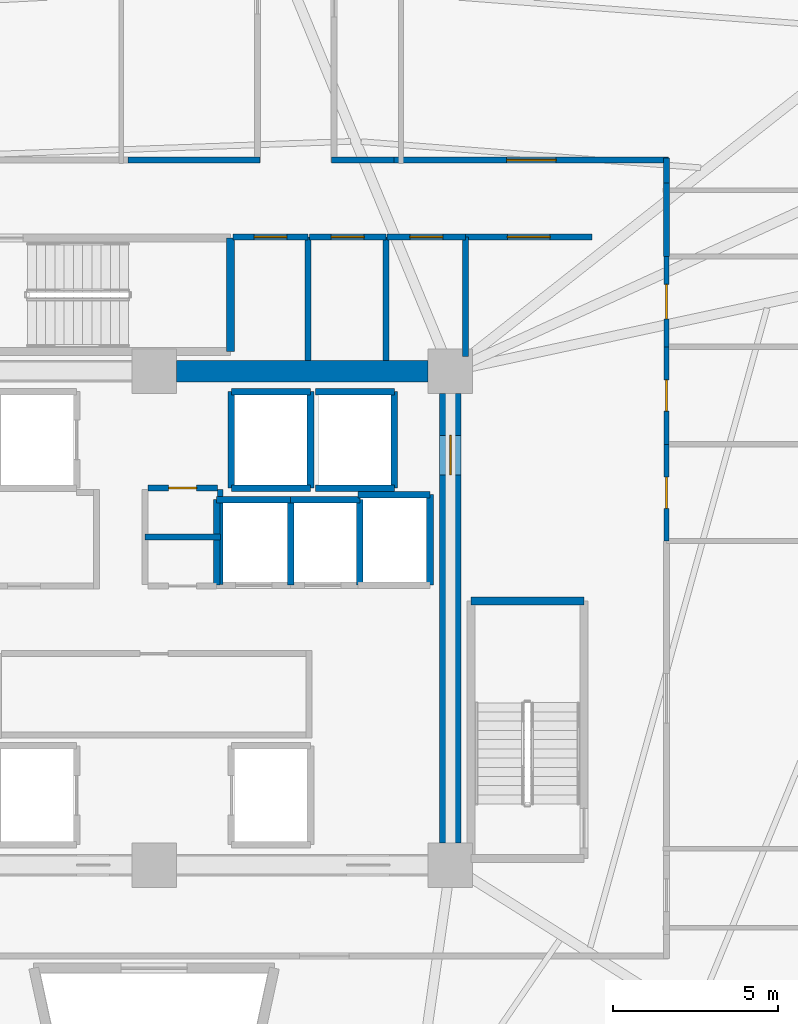
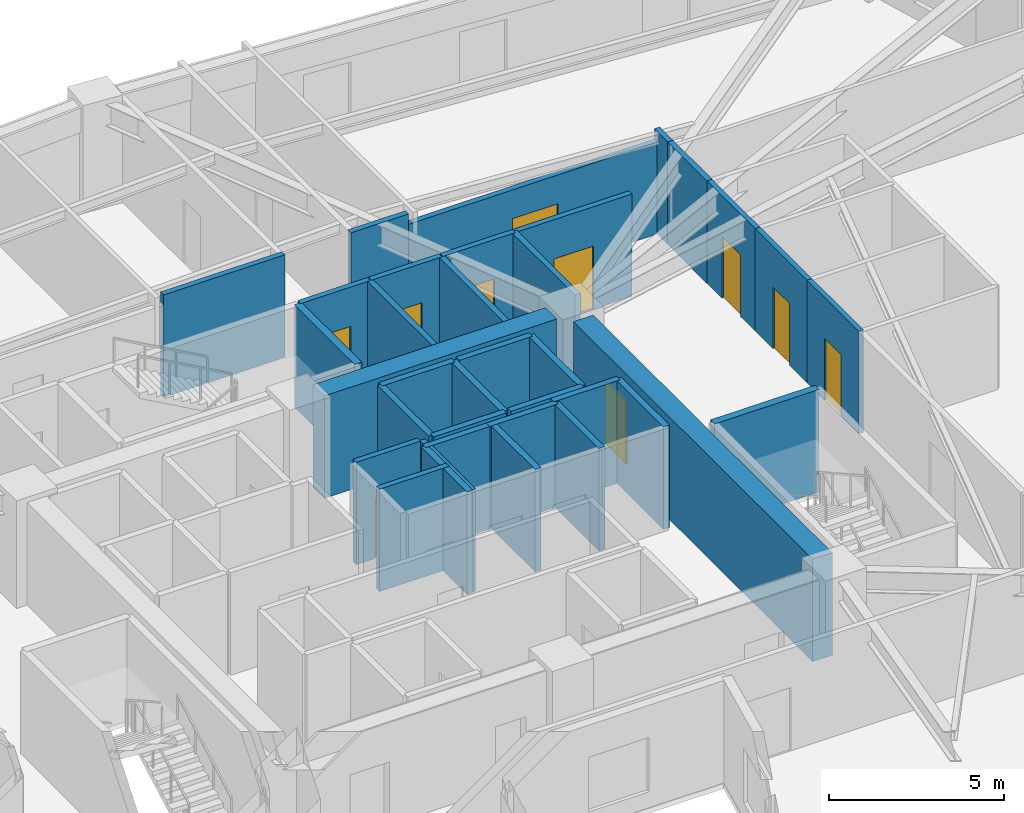
# One storey, part 6 of 8: 36 walls, 10 doors, 10 openings.
"""IFC4 building model written with IfcOpenShell, lengths in metres."""

from ifc_helpers import new_model, si_unit, direction, frame, frame_2d, origin, place, context, subcontext, project, spatial, rectangle, extrude, source, transform, mapped, material, layer, layer_set, type_object, element, fill, save


model = new_model("IFC4")

# Units and contexts
model_context = context("Model", 3, precision=1e-05, world=origin(), true_north=direction((0.0, 1.0)))
body_context = subcontext(model_context, "Body", "Model", "MODEL_VIEW")
ifc_project = project(units=[si_unit("LENGTHUNIT", "METRE"), si_unit("AREAUNIT", "SQUARE_METRE"), si_unit("VOLUMEUNIT", "CUBIC_METRE"), si_unit("PLANEANGLEUNIT", "RADIAN"), si_unit("MASSUNIT", "GRAM", prefix="KILO")], contexts=[model_context])

# Site, building, storey
site_placement = place(None, origin())
site = spatial("IfcSite", under=ifc_project, at=site_placement, CompositionType="ELEMENT")
building_placement = place(site_placement, origin())
building = spatial("IfcBuilding", under=site, at=building_placement, Name="Liaohun Quay Tower", CompositionType="ELEMENT")
storey_placement = place(building_placement, frame((0.0, 0.0, 251.25)))
storey = spatial("IfcBuildingStorey", under=building, at=storey_placement, Name="L65", CompositionType="ELEMENT", Elevation=251.25)

# Wall
ifc_material_1 = material(Name="Concrete C55", Category="concrete")
ifc_layer_1 = layer(ifc_material_1, 0.64990234375, Name="Concrete C55", Category="concrete")
ifc_layer_set_1 = layer_set([ifc_layer_1], Name="Concrete C55")
wall_type_1 = type_object("IfcWallType", Name="WAL-COR-Z3", PredefinedType="SHEAR", material=ifc_layer_set_1)
wall_1_placement = place(storey_placement, frame((60.675048828125, 61.5, 0.0), z_axis=(0.0, 0.0, 1.0), x_axis=(1.0, 0.0, 0.0)))
element("IfcWall", 1, at=wall_1_placement, inside=storey, type_object=wall_type_1, Name="L65 Central Core Shear Wall N-E", PredefinedType="SHEAR", context=body_context, shape_type="SweptSolid", body=[
    extrude(rectangle(XDim=7.64990234375, YDim=0.64990234375, at=frame_2d((3.824951171875, 0.0))), origin(), (0.0, 0.0, 1.0), 3.570068359375),
])

# Wall, opening, door
wall_2_placement = place(storey_placement, frame((69.0, 60.824951171875, 0.0), z_axis=(0.0, 0.0, 1.0), x_axis=(0.0, -1.0, 0.0)))
wall_2 = element("IfcWall", 2, at=wall_2_placement, inside=storey, type_object=wall_type_1, Name="L65 Central Core Shear Wall E", PredefinedType="SHEAR", context=body_context, shape_type="SweptSolid", body=[
    extrude(rectangle(XDim=13.64990234375, YDim=0.64990234375, at=frame_2d((6.824951171875, 0.0))), origin(), (0.0, 0.0, 1.0), 3.570068359375),
])
shared_shape_1 = source(origin(), body_context, "Body", "SweptSolid", [
    extrude(rectangle(XDim=1.199951171875, YDim=2.199951171875, at=frame_2d((0.60009765625, 1.10009765625))), frame((0.0, 0.3349609375, 0.0), z_axis=(0.0, -1.0, 0.0), x_axis=(1.0, 0.0, 0.0)), (0.0, 0.0, 1.0), 0.669921875),
])
opening_1_placement = place(wall_2_placement, frame((1.27490234375, 0.0, 0.0)))
opening_1 = element("IfcOpeningElement", 3, at=opening_1_placement, cuts=wall_2, Name="Opening SD1", PredefinedType="OPENING", context=body_context, shape_type="MappedRepresentation", body=[
    mapped(shared_shape_1, transform((0.0, 0.0, 0.0), x_axis=(1.0, 0.0, 0.0), y_axis=(0.0, 1.0, 0.0), z_axis=(0.0, 0.0, 1.0), scale=1.0)),
])
ifc_material_2 = material(Name="Galvanised steel fire door", Category="steel")
door_type_1 = type_object("IfcDoorType", Name="DOR-STR-1200", OperationType="NOTDEFINED", PredefinedType="DOOR", material=ifc_material_2)
shared_shape_2 = source(origin(), body_context, "Body", "SweptSolid", [
    extrude(rectangle(XDim=1.199951171875, YDim=2.199951171875, at=frame_2d((0.60009765625, 1.10009765625))), frame((0.0, 0.02490234375, 0.0), z_axis=(0.0, -1.0, 0.0), x_axis=(1.0, 0.0, 0.0)), (0.0, 0.0, 1.0), 0.050048828125),
])
door_1_placement = place(opening_1_placement, origin())
door_1 = element("IfcDoor", 4, at=door_1_placement, inside=storey, type_object=door_type_1, Name="L65 North-East Core Lobby Smokeproof Door", OperationType="SINGLE_SWING_LEFT", OverallHeight=2.199951171875, OverallWidth=1.199951171875, PredefinedType="DOOR", context=body_context, shape_type="MappedRepresentation", body=[
    mapped(shared_shape_2, transform((0.0, 0.0, 0.0), x_axis=(1.0, 0.0, 0.0), y_axis=(0.0, 1.0, 0.0), z_axis=(0.0, 0.0, 1.0), scale=1.0)),
])
fill(opening_1, door_1)

ifc_material_3 = material(Name="Autoclaved aerated concrete blockwork", Category="masonry")
ifc_layer_2 = layer(ifc_material_3, 0.179931640625, Name="Autoclaved aerated concrete blockwork", Category="masonry")
ifc_layer_set_2 = layer_set([ifc_layer_2], Name="Autoclaved aerated concrete blockwork")
wall_type_2 = type_object("IfcWallType", Name="WAL-PRT-COR", PredefinedType="PARTITIONING", material=ifc_layer_set_2)
wall_3_placement = place(storey_placement, frame((59.81005859375, 57.949951171875, 0.0), z_axis=(0.0, 0.0, 1.0), x_axis=(1.0, 0.0, 0.0)))
wall_3 = element("IfcWall", 5, at=wall_3_placement, inside=storey, type_object=wall_type_2, Name="L65 Interior Partition Wall 004", PredefinedType="PARTITIONING", context=body_context, shape_type="SweptSolid", body=[
    extrude(rectangle(XDim=2.10986328125, YDim=0.179931640625, at=frame_2d((1.054931640625, 0.0))), origin(), (0.0, 0.0, 1.0), 3.570068359375),
])
shared_shape_3 = source(origin(), body_context, "Body", "SweptSolid", [
    extrude(rectangle(XDim=0.85009765625, YDim=2.10009765625, at=frame_2d((0.425048828125, 1.050048828125))), frame((0.0, 0.099853515625, 0.0), z_axis=(0.0, -1.0, 0.0), x_axis=(1.0, 0.0, 0.0)), (0.0, 0.0, 1.0), 0.199951171875),
])
opening_2_placement = place(wall_3_placement, frame((0.635009765625, 0.0, 0.0)))
opening_2 = element("IfcOpeningElement", 6, at=opening_2_placement, cuts=wall_3, Name="Opening AD1", PredefinedType="OPENING", context=body_context, shape_type="MappedRepresentation", body=[
    mapped(shared_shape_3, transform((0.0, 0.0, 0.0), x_axis=(1.0, 0.0, 0.0), y_axis=(0.0, 1.0, 0.0), z_axis=(0.0, 0.0, 1.0), scale=1.0)),
])
ifc_material_4 = material(Name="Steel riser inspection fire door", Category="steel")
door_type_2 = type_object("IfcDoorType", Name="DOR-SHF-850", OperationType="NOTDEFINED", PredefinedType="DOOR", material=ifc_material_4)
shared_shape_4 = source(origin(), body_context, "Body", "SweptSolid", [
    extrude(rectangle(XDim=0.85009765625, YDim=2.10009765625, at=frame_2d((0.425048828125, 1.050048828125))), frame((0.0, 0.02490234375, 0.0), z_axis=(0.0, -1.0, 0.0), x_axis=(1.0, 0.0, 0.0)), (0.0, 0.0, 1.0), 0.050048828125),
])
door_2_placement = place(opening_2_placement, origin())
door_2 = element("IfcDoor", 7, at=door_2_placement, inside=storey, type_object=door_type_2, Name="L65 Telecom Comms Closet Door", OperationType="SINGLE_SWING_RIGHT", OverallHeight=2.10009765625, OverallWidth=0.85009765625, PredefinedType="DOOR", context=body_context, shape_type="MappedRepresentation", body=[
    mapped(shared_shape_4, transform((0.0, 0.0, 0.0), x_axis=(1.0, 0.0, 0.0), y_axis=(0.0, 1.0, 0.0), z_axis=(0.0, 0.0, 1.0), scale=1.0)),
])
fill(opening_2, door_2)

wall_4_placement = place(storey_placement, frame((62.389892578125, 65.580078125, 0.0), z_axis=(0.0, 0.0, 1.0), x_axis=(1.0, 0.0, 0.0)))
wall_4 = element("IfcWall", 8, at=wall_4_placement, inside=storey, type_object=wall_type_2, Name="L65 Interior Partition Wall 011", PredefinedType="PARTITIONING", context=body_context, shape_type="SweptSolid", body=[
    extrude(rectangle(XDim=2.2900390625, YDim=0.179931640625, at=frame_2d((1.14501953125, 0.0))), origin(), (0.0, 0.0, 1.0), 3.570068359375),
])
shared_shape_5 = source(origin(), body_context, "Body", "SweptSolid", [
    extrude(rectangle(XDim=1.0, YDim=2.199951171875, at=frame_2d((0.5, 1.10009765625))), frame((0.0, 0.099853515625, 0.0), z_axis=(0.0, -1.0, 0.0), x_axis=(1.0, 0.0, 0.0)), (0.0, 0.0, 1.0), 0.199951171875),
])
opening_3_placement = place(wall_4_placement, frame((0.64501953125, 0.0, 0.0)))
opening_3 = element("IfcOpeningElement", 9, at=opening_3_placement, cuts=wall_4, Name="Opening OD1", PredefinedType="OPENING", context=body_context, shape_type="MappedRepresentation", body=[
    mapped(shared_shape_5, transform((0.0, 0.0, 0.0), x_axis=(1.0, 0.0, 0.0), y_axis=(0.0, 1.0, 0.0), z_axis=(0.0, 0.0, 1.0), scale=1.0)),
])
ifc_material_5 = material(Name="Solid-core oak veneer timber leaf in steel frame", Category="steel")
door_type_3 = type_object("IfcDoorType", Name="DOR-OFF-1000", OperationType="NOTDEFINED", PredefinedType="DOOR", material=ifc_material_5)
shared_shape_6 = source(origin(), body_context, "Body", "SweptSolid", [
    extrude(rectangle(XDim=1.0, YDim=2.199951171875, at=frame_2d((0.5, 1.10009765625))), frame((0.0, 0.02490234375, 0.0), z_axis=(0.0, -1.0, 0.0), x_axis=(1.0, 0.0, 0.0)), (0.0, 0.0, 1.0), 0.050048828125),
])
door_3_placement = place(opening_3_placement, origin())
door_3 = element("IfcDoor", 10, at=door_3_placement, inside=storey, type_object=door_type_3, Name="L65 North-East Mail Store Door", OperationType="SINGLE_SWING_LEFT", OverallHeight=2.199951171875, OverallWidth=1.0, PredefinedType="DOOR", context=body_context, shape_type="MappedRepresentation", body=[
    mapped(shared_shape_6, transform((0.0, 0.0, 0.0), x_axis=(1.0, 0.0, 0.0), y_axis=(0.0, 1.0, 0.0), z_axis=(0.0, 0.0, 1.0), scale=1.0)),
])
fill(opening_3, door_3)

wall_5_placement = place(storey_placement, frame((64.719970703125, 65.580078125, 0.0), z_axis=(0.0, 0.0, 1.0), x_axis=(1.0, 0.0, 0.0)))
wall_5 = element("IfcWall", 11, at=wall_5_placement, inside=storey, type_object=wall_type_2, Name="L65 Interior Partition Wall 012", PredefinedType="PARTITIONING", context=body_context, shape_type="SweptSolid", body=[
    extrude(rectangle(XDim=2.320068359375, YDim=0.179931640625, at=frame_2d((1.16015625, 0.0))), origin(), (0.0, 0.0, 1.0), 3.570068359375),
])
opening_4_placement = place(wall_5_placement, frame((0.659912109375, 0.0, 0.0)))
opening_4 = element("IfcOpeningElement", 12, at=opening_4_placement, cuts=wall_5, Name="Opening OD1", PredefinedType="OPENING", context=body_context, shape_type="MappedRepresentation", body=[
    mapped(shared_shape_5, transform((0.0, 0.0, 0.0), x_axis=(1.0, 0.0, 0.0), y_axis=(0.0, 1.0, 0.0), z_axis=(0.0, 0.0, 1.0), scale=1.0)),
])
door_4_placement = place(opening_4_placement, origin())
door_4 = element("IfcDoor", 13, at=door_4_placement, inside=storey, type_object=door_type_3, Name="L65 North-East Comms Room Door", OperationType="SINGLE_SWING_RIGHT", OverallHeight=2.199951171875, OverallWidth=1.0, PredefinedType="DOOR", context=body_context, shape_type="MappedRepresentation", body=[
    mapped(shared_shape_6, transform((0.0, 0.0, 0.0), x_axis=(1.0, 0.0, 0.0), y_axis=(0.0, 1.0, 0.0), z_axis=(0.0, 0.0, 1.0), scale=1.0)),
])
fill(opening_4, door_4)

wall_6_placement = place(storey_placement, frame((67.080078125, 65.580078125, 0.0), z_axis=(0.0, 0.0, 1.0), x_axis=(1.0, 0.0, 0.0)))
wall_6 = element("IfcWall", 14, at=wall_6_placement, inside=storey, type_object=wall_type_2, Name="L65 Interior Partition Wall 013", PredefinedType="PARTITIONING", context=body_context, shape_type="SweptSolid", body=[
    extrude(rectangle(XDim=2.3798828125, YDim=0.179931640625, at=frame_2d((1.18994140625, 0.0))), origin(), (0.0, 0.0, 1.0), 3.570068359375),
])
opening_5_placement = place(wall_6_placement, frame((0.68994140625, 0.0, 0.0)))
opening_5 = element("IfcOpeningElement", 15, at=opening_5_placement, cuts=wall_6, Name="Opening OD1", PredefinedType="OPENING", context=body_context, shape_type="MappedRepresentation", body=[
    mapped(shared_shape_5, transform((0.0, 0.0, 0.0), x_axis=(1.0, 0.0, 0.0), y_axis=(0.0, 1.0, 0.0), z_axis=(0.0, 0.0, 1.0), scale=1.0)),
])
door_5_placement = place(opening_5_placement, origin())
door_5 = element("IfcDoor", 16, at=door_5_placement, inside=storey, type_object=door_type_3, Name="L65 North-East Cleaner Store Door", OperationType="SINGLE_SWING_LEFT", OverallHeight=2.199951171875, OverallWidth=1.0, PredefinedType="DOOR", context=body_context, shape_type="MappedRepresentation", body=[
    mapped(shared_shape_6, transform((0.0, 0.0, 0.0), x_axis=(1.0, 0.0, 0.0), y_axis=(0.0, 1.0, 0.0), z_axis=(0.0, 0.0, 1.0), scale=1.0)),
])
fill(opening_5, door_5)

wall_7_placement = place(storey_placement, frame((69.4599609375, 65.580078125, 0.0), z_axis=(0.0, 0.0, 1.0), x_axis=(1.0, 0.0, 0.0)))
wall_7 = element("IfcWall", 17, at=wall_7_placement, inside=storey, type_object=wall_type_2, Name="L65 Interior Partition Wall 015", PredefinedType="PARTITIONING", context=body_context, shape_type="SweptSolid", body=[
    extrude(rectangle(XDim=3.840087890625, YDim=0.179931640625, at=frame_2d((1.919921875, 0.0))), origin(), (0.0, 0.0, 1.0), 3.570068359375),
])
shared_shape_7 = source(origin(), body_context, "Body", "SweptSolid", [
    extrude(rectangle(XDim=1.300048828125, YDim=2.199951171875, at=frame_2d((0.64990234375, 1.10009765625))), frame((0.0, 0.099853515625, 0.0), z_axis=(0.0, -1.0, 0.0), x_axis=(1.0, 0.0, 0.0)), (0.0, 0.0, 1.0), 0.199951171875),
])
opening_6_placement = place(wall_7_placement, frame((1.27001953125, 0.0, 0.0)))
opening_6 = element("IfcOpeningElement", 18, at=opening_6_placement, cuts=wall_7, Name="Opening FD1", PredefinedType="OPENING", context=body_context, shape_type="MappedRepresentation", body=[
    mapped(shared_shape_7, transform((0.0, 0.0, 0.0), x_axis=(1.0, 0.0, 0.0), y_axis=(0.0, 1.0, 0.0), z_axis=(0.0, 0.0, 1.0), scale=1.0)),
])
ifc_material_6 = material(Name="Galvanised steel smokeproof fire door", Category="steel")
door_type_4 = type_object("IfcDoorType", Name="DOR-FFL-1300", OperationType="NOTDEFINED", PredefinedType="DOOR", material=ifc_material_6)
shared_shape_8 = source(origin(), body_context, "Body", "SweptSolid", [
    extrude(rectangle(XDim=1.300048828125, YDim=2.199951171875, at=frame_2d((0.64990234375, 1.10009765625))), frame((0.0, 0.02490234375, 0.0), z_axis=(0.0, -1.0, 0.0), x_axis=(1.0, 0.0, 0.0)), (0.0, 0.0, 1.0), 0.050048828125),
])
door_6_placement = place(opening_6_placement, origin())
door_6 = element("IfcDoor", 19, at=door_6_placement, inside=storey, type_object=door_type_4, Name="L65 East Core Vestibule Door", OperationType="SINGLE_SWING_LEFT", OverallHeight=2.199951171875, OverallWidth=1.300048828125, PredefinedType="DOOR", context=body_context, shape_type="MappedRepresentation", body=[
    mapped(shared_shape_8, transform((0.0, 0.0, 0.0), x_axis=(1.0, 0.0, 0.0), y_axis=(0.0, 1.0, 0.0), z_axis=(0.0, 0.0, 1.0), scale=1.0)),
])
fill(opening_6, door_6)

wall_8_placement = place(storey_placement, frame((67.284912109375, 67.909912109375, 0.0), z_axis=(0.0, 0.0, 1.0), x_axis=(1.0, 0.0, 0.0)))
wall_8 = element("IfcWall", 20, at=wall_8_placement, inside=storey, type_object=wall_type_2, Name="L65 Interior Partition Wall 017", PredefinedType="PARTITIONING", context=body_context, shape_type="SweptSolid", body=[
    extrude(rectangle(XDim=8.344970703125, YDim=0.179931640625, at=frame_2d((4.17236328125, 0.0))), origin(), (0.0, 0.0, 1.0), 3.205078125),
])
shared_shape_9 = source(origin(), body_context, "Body", "SweptSolid", [
    extrude(rectangle(XDim=1.5, YDim=2.199951171875, at=frame_2d((0.75, 1.10009765625))), frame((0.0, 0.099853515625, 0.0), z_axis=(0.0, -1.0, 0.0), x_axis=(1.0, 0.0, 0.0)), (0.0, 0.0, 1.0), 0.199951171875),
])
opening_7_placement = place(wall_8_placement, frame((3.422119140625, 0.0, 0.0)))
opening_7 = element("IfcOpeningElement", 21, at=opening_7_placement, cuts=wall_8, Name="Opening OD2", PredefinedType="OPENING", context=body_context, shape_type="MappedRepresentation", body=[
    mapped(shared_shape_9, transform((0.0, 0.0, 0.0), x_axis=(1.0, 0.0, 0.0), y_axis=(0.0, 1.0, 0.0), z_axis=(0.0, 0.0, 1.0), scale=1.0)),
])
ifc_material_7 = material(Name="Acoustic oak veneer double door")
door_type_5 = type_object("IfcDoorType", Name="DOR-OFF-1500", OperationType="DOUBLE_DOOR_SINGLE_SWING", PredefinedType="DOOR", material=ifc_material_7)
shared_shape_10 = source(origin(), body_context, "Body", "SweptSolid", [
    extrude(rectangle(XDim=1.5, YDim=2.199951171875, at=frame_2d((0.75, 1.10009765625))), frame((0.0, 0.02490234375, 0.0), z_axis=(0.0, -1.0, 0.0), x_axis=(1.0, 0.0, 0.0)), (0.0, 0.0, 1.0), 0.050048828125),
])
door_7_placement = place(opening_7_placement, origin())
door_7 = element("IfcDoor", 22, at=door_7_placement, inside=storey, type_object=door_type_5, Name="L65 Occupational Wellness Clinic 02 Door", OperationType="DOUBLE_DOOR_SINGLE_SWING", OverallHeight=2.199951171875, OverallWidth=1.5, PredefinedType="DOOR", context=body_context, shape_type="MappedRepresentation", body=[
    mapped(shared_shape_10, transform((0.0, 0.0, 0.0), x_axis=(1.0, 0.0, 0.0), y_axis=(0.0, 1.0, 0.0), z_axis=(0.0, 0.0, 1.0), scale=1.0)),
])
fill(opening_7, door_7)

# Walls
wall_9_placement = place(storey_placement, frame((62.010009765625, 55.02001953125, 0.0), z_axis=(0.0, 0.0, 1.0), x_axis=(0.0, 1.0, 0.0)))
element("IfcWall", 23, at=wall_9_placement, inside=storey, type_object=wall_type_2, Name="L65 Interior Partition Wall 030", PredefinedType="PARTITIONING", context=body_context, shape_type="SweptSolid", body=[
    extrude(rectangle(XDim=2.8798828125, YDim=0.179931640625, at=frame_2d((1.43994140625, 0.0))), origin(), (0.0, 0.0, 1.0), 3.570068359375),
])
wall_10_placement = place(storey_placement, frame((59.719970703125, 56.4599609375, 0.0), z_axis=(0.0, 0.0, 1.0), x_axis=(1.0, 0.0, 0.0)))
element("IfcWall", 24, at=wall_10_placement, inside=storey, type_object=wall_type_2, Name="L65 Interior Partition Wall 031", PredefinedType="PARTITIONING", context=body_context, shape_type="SweptSolid", body=[
    extrude(rectangle(XDim=2.2900390625, YDim=0.179931640625, at=frame_2d((1.14501953125, 0.0))), origin(), (0.0, 0.0, 1.0), 3.570068359375),
])
for number, where, z_axis, x_axis, name in (
    (25, (64.679931640625, 61.824951171875, 0.0), (0.0, 0.0, 1.0), (0.0, 1.0, 0.0), "L65 Interior Partition Wall 042"),
    (26, (67.0400390625, 61.824951171875, 0.0), (0.0, 0.0, 1.0), (0.0, 1.0, 0.0), "L65 Interior Partition Wall 043"),
):
    element("IfcWall", number, at=place(storey_placement, frame(where, z_axis=z_axis, x_axis=x_axis)), inside=storey, type_object=wall_type_2, Name=name, PredefinedType="PARTITIONING", context=body_context, shape_type="SweptSolid", body=[
        extrude(rectangle(XDim=3.755126953125, YDim=0.179931640625, at=frame_2d((1.87744140625, 0.0))), origin(), (0.0, 0.0, 1.0), 3.570068359375),
    ])
wall_11_placement = place(storey_placement, frame((69.4599609375, 61.949951171875, 0.0), z_axis=(0.0, 0.0, 1.0), x_axis=(0.0, 1.0, 0.0)))
element("IfcWall", 27, at=wall_11_placement, inside=storey, type_object=wall_type_2, Name="L65 Interior Partition Wall 044", PredefinedType="PARTITIONING", context=body_context, shape_type="SweptSolid", body=[
    extrude(rectangle(XDim=3.630126953125, YDim=0.179931640625, at=frame_2d((1.81494140625, 0.0))), origin(), (0.0, 0.0, 1.0), 3.570068359375),
])
wall_12_placement = place(storey_placement, frame((75.56005859375, 67.215087890625, 0.0), z_axis=(0.0, 0.0, 1.0), x_axis=(0.0, -1.0, 0.0)))
element("IfcWall", 28, at=wall_12_placement, inside=storey, type_object=wall_type_2, Name="L65 Interior Partition Wall 045", PredefinedType="PARTITIONING", context=body_context, shape_type="SweptSolid", body=[
    extrude(rectangle(XDim=2.235107421875, YDim=0.179931640625, at=frame_2d((1.11767578125, 0.0))), origin(), (0.0, 0.0, 1.0), 3.570068359375),
])
wall_13_placement = place(storey_placement, frame((75.56005859375, 67.97998046875, 0.0), z_axis=(0.0, 0.0, 1.0), x_axis=(0.0, -1.0, 0.0)))
element("IfcWall", 29, at=wall_13_placement, inside=storey, type_object=wall_type_2, Name="L65 Interior Partition Wall 046", PredefinedType="PARTITIONING", context=body_context, shape_type="SweptSolid", body=[
    extrude(rectangle(XDim=0.764892578125, YDim=0.179931640625, at=frame_2d((0.38232421875, 0.0))), origin(), (0.0, 0.0, 1.0), 3.570068359375),
])
wall_14_placement = place(storey_placement, frame((65.389892578125, 67.909912109375, 0.0), z_axis=(0.0, 0.0, 1.0), x_axis=(1.0, 0.0, 0.0)))
element("IfcWall", 30, at=wall_14_placement, inside=storey, type_object=wall_type_2, Name="L65 Interior Partition Wall 047", PredefinedType="PARTITIONING", context=body_context, shape_type="SweptSolid", body=[
    extrude(rectangle(XDim=1.89501953125, YDim=0.179931640625, at=frame_2d((0.947509765625, 0.0))), origin(), (0.0, 0.0, 1.0), 3.570068359375),
])
wall_15_placement = place(storey_placement, frame((59.215087890625, 67.909912109375, 0.0), z_axis=(0.0, 0.0, 1.0), x_axis=(1.0, 0.0, 0.0)))
element("IfcWall", 31, at=wall_15_placement, inside=storey, type_object=wall_type_2, Name="L65 Interior Partition Wall 048", PredefinedType="PARTITIONING", context=body_context, shape_type="SweptSolid", body=[
    extrude(rectangle(XDim=3.994873046875, YDim=0.179931640625, at=frame_2d((1.99755859375, 0.0))), origin(), (0.0, 0.0, 1.0), 3.570068359375),
])

# Wall, opening, door
ifc_material_8 = material(Name="Moisture-resistant masonry blockwork", Category="masonry")
ifc_layer_3 = layer(ifc_material_8, 0.159912109375, Name="Moisture-resistant masonry blockwork", Category="masonry")
ifc_layer_set_3 = layer_set([ifc_layer_3], Name="Moisture-resistant masonry blockwork")
wall_type_3 = type_object("IfcWallType", Name="WAL-PRT-WET", PredefinedType="PARTITIONING", material=ifc_layer_set_3)
wall_16_placement = place(storey_placement, frame((75.56005859375, 56.340087890625, 0.0), z_axis=(0.0, 0.0, 1.0), x_axis=(0.0, 1.0, 0.0)))
wall_16 = element("IfcWall", 32, at=wall_16_placement, inside=storey, type_object=wall_type_3, Name="L65 Interior Partition Wall 006", PredefinedType="PARTITIONING", context=body_context, shape_type="SweptSolid", body=[
    extrude(rectangle(XDim=2.93994140625, YDim=0.159912109375, at=frame_2d((1.469970703125, 0.0))), origin(), (0.0, 0.0, 1.0), 3.570068359375),
])
shared_shape_11 = source(origin(), body_context, "Body", "SweptSolid", [
    extrude(rectangle(XDim=0.949951171875, YDim=2.14990234375, at=frame_2d((0.47509765625, 1.074951171875))), frame((0.0, 0.08984375, 0.0), z_axis=(0.0, -1.0, 0.0), x_axis=(1.0, 0.0, 0.0)), (0.0, 0.0, 1.0), 0.179931640625),
])
opening_8_placement = place(wall_16_placement, frame((0.9951171875, 0.0, 0.0)))
opening_8 = element("IfcOpeningElement", 33, at=opening_8_placement, cuts=wall_16, Name="Opening WD1", PredefinedType="OPENING", context=body_context, shape_type="MappedRepresentation", body=[
    mapped(shared_shape_11, transform((0.0, 0.0, 0.0), x_axis=(1.0, 0.0, 0.0), y_axis=(0.0, 1.0, 0.0), z_axis=(0.0, 0.0, 1.0), scale=1.0)),
])
ifc_material_9 = material(Name="Moisture-resistant laminate timber leaf", Category="wood")
door_type_6 = type_object("IfcDoorType", Name="DOR-WC-950", OperationType="NOTDEFINED", PredefinedType="DOOR", material=ifc_material_9)
shared_shape_12 = source(origin(), body_context, "Body", "SweptSolid", [
    extrude(rectangle(XDim=0.949951171875, YDim=2.14990234375, at=frame_2d((0.47509765625, 1.074951171875))), frame((0.0, 0.02490234375, 0.0), z_axis=(0.0, -1.0, 0.0), x_axis=(1.0, 0.0, 0.0)), (0.0, 0.0, 1.0), 0.050048828125),
])
door_8_placement = place(opening_8_placement, origin())
door_8 = element("IfcDoor", 34, at=door_8_placement, inside=storey, type_object=door_type_6, Name="L65 Male Restroom WC Door", OperationType="SINGLE_SWING_RIGHT", OverallHeight=2.14990234375, OverallWidth=0.949951171875, PredefinedType="DOOR", context=body_context, shape_type="MappedRepresentation", body=[
    mapped(shared_shape_12, transform((0.0, 0.0, 0.0), x_axis=(1.0, 0.0, 0.0), y_axis=(0.0, 1.0, 0.0), z_axis=(0.0, 0.0, 1.0), scale=1.0)),
])
fill(opening_8, door_8)

wall_17_placement = place(storey_placement, frame((75.56005859375, 59.280029296875, 0.0), z_axis=(0.0, 0.0, 1.0), x_axis=(0.0, 1.0, 0.0)))
wall_17 = element("IfcWall", 35, at=wall_17_placement, inside=storey, type_object=wall_type_3, Name="L65 Interior Partition Wall 007", PredefinedType="PARTITIONING", context=body_context, shape_type="SweptSolid", body=[
    extrude(rectangle(XDim=2.9599609375, YDim=0.159912109375, at=frame_2d((1.47998046875, 0.0))), origin(), (0.0, 0.0, 1.0), 3.570068359375),
])
opening_9_placement = place(wall_17_placement, frame((1.0048828125, 0.0, 0.0)))
opening_9 = element("IfcOpeningElement", 36, at=opening_9_placement, cuts=wall_17, Name="Opening WD1", PredefinedType="OPENING", context=body_context, shape_type="MappedRepresentation", body=[
    mapped(shared_shape_11, transform((0.0, 0.0, 0.0), x_axis=(1.0, 0.0, 0.0), y_axis=(0.0, 1.0, 0.0), z_axis=(0.0, 0.0, 1.0), scale=1.0)),
])
door_9_placement = place(opening_9_placement, origin())
door_9 = element("IfcDoor", 37, at=door_9_placement, inside=storey, type_object=door_type_6, Name="L65 Female Restroom WC Door", OperationType="SINGLE_SWING_LEFT", OverallHeight=2.14990234375, OverallWidth=0.949951171875, PredefinedType="DOOR", context=body_context, shape_type="MappedRepresentation", body=[
    mapped(shared_shape_12, transform((0.0, 0.0, 0.0), x_axis=(1.0, 0.0, 0.0), y_axis=(0.0, 1.0, 0.0), z_axis=(0.0, 0.0, 1.0), scale=1.0)),
])
fill(opening_9, door_9)

wall_18_placement = place(storey_placement, frame((75.56005859375, 62.239990234375, 0.0), z_axis=(0.0, 0.0, 1.0), x_axis=(0.0, 1.0, 0.0)))
wall_18 = element("IfcWall", 38, at=wall_18_placement, inside=storey, type_object=wall_type_3, Name="L65 Interior Partition Wall 008", PredefinedType="PARTITIONING", context=body_context, shape_type="SweptSolid", body=[
    extrude(rectangle(XDim=2.739990234375, YDim=0.159912109375, at=frame_2d((1.3701171875, 0.0))), origin(), (0.0, 0.0, 1.0), 3.570068359375),
])
shared_shape_13 = source(origin(), body_context, "Body", "SweptSolid", [
    extrude(rectangle(XDim=1.050048828125, YDim=2.14990234375, at=frame_2d((0.52490234375, 1.074951171875))), frame((0.0, 0.08984375, 0.0), z_axis=(0.0, -1.0, 0.0), x_axis=(1.0, 0.0, 0.0)), (0.0, 0.0, 1.0), 0.179931640625),
])
opening_10_placement = place(wall_18_placement, frame((0.844970703125, 0.0, 0.0)))
opening_10 = element("IfcOpeningElement", 39, at=opening_10_placement, cuts=wall_18, Name="Opening WD2", PredefinedType="OPENING", context=body_context, shape_type="MappedRepresentation", body=[
    mapped(shared_shape_13, transform((0.0, 0.0, 0.0), x_axis=(1.0, 0.0, 0.0), y_axis=(0.0, 1.0, 0.0), z_axis=(0.0, 0.0, 1.0), scale=1.0)),
])
ifc_material_10 = material(Name="Accessible outward-swinging laminate door")
door_type_7 = type_object("IfcDoorType", Name="DOR-AWC-1050", OperationType="NOTDEFINED", PredefinedType="DOOR", material=ifc_material_10)
shared_shape_14 = source(origin(), body_context, "Body", "SweptSolid", [
    extrude(rectangle(XDim=1.050048828125, YDim=2.14990234375, at=frame_2d((0.52490234375, 1.074951171875))), frame((0.0, 0.02490234375, 0.0), z_axis=(0.0, -1.0, 0.0), x_axis=(1.0, 0.0, 0.0)), (0.0, 0.0, 1.0), 0.050048828125),
])
door_10_placement = place(opening_10_placement, origin())
door_10 = element("IfcDoor", 40, at=door_10_placement, inside=storey, type_object=door_type_7, Name="L65 Accessible WC Door", OperationType="SINGLE_SWING_RIGHT", OverallHeight=2.14990234375, OverallWidth=1.050048828125, PredefinedType="DOOR", context=body_context, shape_type="MappedRepresentation", body=[
    mapped(shared_shape_14, transform((0.0, 0.0, 0.0), x_axis=(1.0, 0.0, 0.0), y_axis=(0.0, 1.0, 0.0), z_axis=(0.0, 0.0, 1.0), scale=1.0)),
])
fill(opening_10, door_10)

# Walls
ifc_material_11 = material(Name="Concrete C50", Category="concrete")
ifc_layer_4 = layer(ifc_material_11, 0.239990234375, Name="Concrete C50", Category="concrete")
ifc_layer_set_4 = layer_set([ifc_layer_4], Name="Concrete C50")
wall_type_4 = type_object("IfcWallType", Name="WAL-SHF-200", PredefinedType="SOLIDWALL", material=ifc_layer_set_4)
for number, where, z_axis, x_axis, name in (
    (41, (73.06005859375, 54.52001953125, 0.0), (0.0, 0.0, 1.0), (-1.0, 0.0, 0.0), "L65 Stairwell ST-2 Structural Core Wall N"),
    (42, (62.320068359375, 62.10009765625, 0.0), (0.0, 0.0, 1.0), (0.0, 1.0, 0.0), "L65 Stairwell ST-3 Structural Core Wall E"),
):
    element("IfcWall", number, at=place(storey_placement, frame(where, z_axis=z_axis, x_axis=x_axis)), inside=storey, type_object=wall_type_4, Name=name, PredefinedType="SOLIDWALL", context=body_context, shape_type="SweptSolid", body=[
        extrude(rectangle(XDim=3.43994140625, YDim=0.239990234375, at=frame_2d((1.719970703125, 0.0))), origin(), (0.0, 0.0, 1.0), 3.570068359375),
    ])
wall_19_placement = place(storey_placement, frame((62.35009765625, 57.949951171875, 0.0), z_axis=(0.0, 0.0, 1.0), x_axis=(1.0, 0.0, 0.0)))
element("IfcWall", 43, at=wall_19_placement, inside=storey, type_object=wall_type_4, Name="L65 Lift OB-01 Hoistway Wall S", PredefinedType="SOLIDWALL", context=body_context, shape_type="SweptSolid", body=[
    extrude(rectangle(XDim=2.39990234375, YDim=0.199951171875, at=frame_2d((1.199951171875, 0.0))), origin(), (0.0, 0.0, 1.0), 3.570068359375),
])
wall_20_placement = place(storey_placement, frame((64.75, 57.949951171875, 0.0), z_axis=(0.0, 0.0, 1.0), x_axis=(0.0, 1.0, 0.0)))
element("IfcWall", 44, at=wall_20_placement, inside=storey, type_object=wall_type_4, Name="L65 Lift OB-01 Hoistway Wall E", PredefinedType="SOLIDWALL", context=body_context, shape_type="SweptSolid", body=[
    extrude(rectangle(XDim=2.929931640625, YDim=0.199951171875, at=frame_2d((1.46484375, 0.0))), origin(), (0.0, 0.0, 1.0), 3.570068359375),
])
wall_21_placement = place(storey_placement, frame((64.75, 60.8798828125, 0.0), z_axis=(0.0, 0.0, 1.0), x_axis=(-1.0, 0.0, 0.0)))
element("IfcWall", 45, at=wall_21_placement, inside=storey, type_object=wall_type_4, Name="L65 Lift OB-01 Hoistway Wall N", PredefinedType="SOLIDWALL", context=body_context, shape_type="SweptSolid", body=[
    extrude(rectangle(XDim=2.39990234375, YDim=0.199951171875, at=frame_2d((1.199951171875, 0.0))), origin(), (0.0, 0.0, 1.0), 3.570068359375),
])
wall_22_placement = place(storey_placement, frame((62.35009765625, 60.8798828125, 0.0), z_axis=(0.0, 0.0, 1.0), x_axis=(0.0, -1.0, 0.0)))
element("IfcWall", 46, at=wall_22_placement, inside=storey, type_object=wall_type_4, Name="L65 Lift OB-01 Hoistway Wall W", PredefinedType="SOLIDWALL", context=body_context, shape_type="SweptSolid", body=[
    extrude(rectangle(XDim=2.929931640625, YDim=0.199951171875, at=frame_2d((1.46484375, 0.0))), origin(), (0.0, 0.0, 1.0), 3.570068359375),
])
wall_23_placement = place(storey_placement, frame((64.89990234375, 57.949951171875, 0.0), z_axis=(0.0, 0.0, 1.0), x_axis=(1.0, 0.0, 0.0)))
element("IfcWall", 47, at=wall_23_placement, inside=storey, type_object=wall_type_4, Name="L65 Lift OB-02 Hoistway Wall S", PredefinedType="SOLIDWALL", context=body_context, shape_type="SweptSolid", body=[
    extrude(rectangle(XDim=2.400146484375, YDim=0.199951171875, at=frame_2d((1.2001953125, 0.0))), origin(), (0.0, 0.0, 1.0), 3.570068359375),
])
wall_24_placement = place(storey_placement, frame((67.300048828125, 57.949951171875, 0.0), z_axis=(0.0, 0.0, 1.0), x_axis=(0.0, 1.0, 0.0)))
element("IfcWall", 48, at=wall_24_placement, inside=storey, type_object=wall_type_4, Name="L65 Lift OB-02 Hoistway Wall E", PredefinedType="SOLIDWALL", context=body_context, shape_type="SweptSolid", body=[
    extrude(rectangle(XDim=2.929931640625, YDim=0.199951171875, at=frame_2d((1.46484375, 0.0))), origin(), (0.0, 0.0, 1.0), 3.570068359375),
])
wall_25_placement = place(storey_placement, frame((67.300048828125, 60.8798828125, 0.0), z_axis=(0.0, 0.0, 1.0), x_axis=(-1.0, 0.0, 0.0)))
element("IfcWall", 49, at=wall_25_placement, inside=storey, type_object=wall_type_4, Name="L65 Lift OB-02 Hoistway Wall N", PredefinedType="SOLIDWALL", context=body_context, shape_type="SweptSolid", body=[
    extrude(rectangle(XDim=2.400146484375, YDim=0.199951171875, at=frame_2d((1.2001953125, 0.0))), origin(), (0.0, 0.0, 1.0), 3.570068359375),
])
wall_26_placement = place(storey_placement, frame((68.3798828125, 55.0, 0.0), z_axis=(0.0, 0.0, 1.0), x_axis=(0.0, 1.0, 0.0)))
element("IfcWall", 50, at=wall_26_placement, inside=storey, type_object=wall_type_4, Name="L65 Lift SH-03 Hoistway Wall E", PredefinedType="SOLIDWALL", context=body_context, shape_type="SweptSolid", body=[
    extrude(rectangle(XDim=2.75, YDim=0.199951171875, at=frame_2d((1.375, 0.0))), origin(), (0.0, 0.0, 1.0), 3.570068359375),
])
wall_27_placement = place(storey_placement, frame((68.3798828125, 57.75, 0.0), z_axis=(0.0, 0.0, 1.0), x_axis=(-1.0, 0.0, 0.0)))
element("IfcWall", 51, at=wall_27_placement, inside=storey, type_object=wall_type_4, Name="L65 Lift SH-03 Hoistway Wall N", PredefinedType="SOLIDWALL", context=body_context, shape_type="SweptSolid", body=[
    extrude(rectangle(XDim=2.179931640625, YDim=0.199951171875, at=frame_2d((1.08984375, 0.0))), origin(), (0.0, 0.0, 1.0), 3.570068359375),
])
wall_28_placement = place(storey_placement, frame((64.14990234375, 55.0, 0.0), z_axis=(0.0, 0.0, 1.0), x_axis=(0.0, 1.0, 0.0)))
element("IfcWall", 52, at=wall_28_placement, inside=storey, type_object=wall_type_4, Name="L65 Lift PL-3A Hoistway Wall E", PredefinedType="SOLIDWALL", context=body_context, shape_type="SweptSolid", body=[
    extrude(rectangle(XDim=2.60009765625, YDim=0.199951171875, at=frame_2d((1.300048828125, 0.0))), origin(), (0.0, 0.0, 1.0), 3.570068359375),
])
wall_29_placement = place(storey_placement, frame((64.14990234375, 57.60009765625, 0.0), z_axis=(0.0, 0.0, 1.0), x_axis=(-1.0, 0.0, 0.0)))
element("IfcWall", 53, at=wall_29_placement, inside=storey, type_object=wall_type_4, Name="L65 Lift PL-3A Hoistway Wall N", PredefinedType="SOLIDWALL", context=body_context, shape_type="SweptSolid", body=[
    extrude(rectangle(XDim=2.25, YDim=0.199951171875, at=frame_2d((1.125, 0.0))), origin(), (0.0, 0.0, 1.0), 3.570068359375),
])
for number, where, z_axis, x_axis, name in (
    (54, (61.89990234375, 57.60009765625, 0.0), (0.0, 0.0, 1.0), (0.0, -1.0, 0.0), "L65 Lift PL-3A Hoistway Wall W"),
    (55, (66.25, 55.0, 0.0), (0.0, 0.0, 1.0), (0.0, 1.0, 0.0), "L65 Lift PL-3B Hoistway Wall E"),
):
    element("IfcWall", number, at=place(storey_placement, frame(where, z_axis=z_axis, x_axis=x_axis)), inside=storey, type_object=wall_type_4, Name=name, PredefinedType="SOLIDWALL", context=body_context, shape_type="SweptSolid", body=[
        extrude(rectangle(XDim=2.60009765625, YDim=0.199951171875, at=frame_2d((1.300048828125, 0.0))), origin(), (0.0, 0.0, 1.0), 3.570068359375),
    ])
wall_30_placement = place(storey_placement, frame((66.25, 57.60009765625, 0.0), z_axis=(0.0, 0.0, 1.0), x_axis=(-1.0, 0.0, 0.0)))
element("IfcWall", 56, at=wall_30_placement, inside=storey, type_object=wall_type_4, Name="L65 Lift PL-3B Hoistway Wall N", PredefinedType="SOLIDWALL", context=body_context, shape_type="SweptSolid", body=[
    extrude(rectangle(XDim=2.25, YDim=0.199951171875, at=frame_2d((1.125, 0.0))), origin(), (0.0, 0.0, 1.0), 3.570068359375),
])

save(model, "model.ifc")
